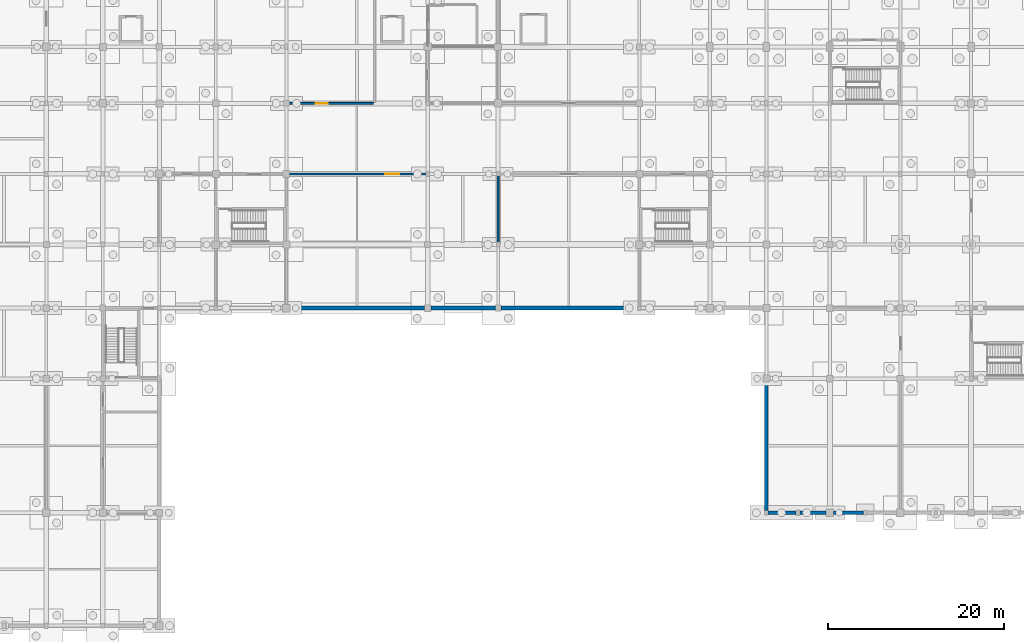
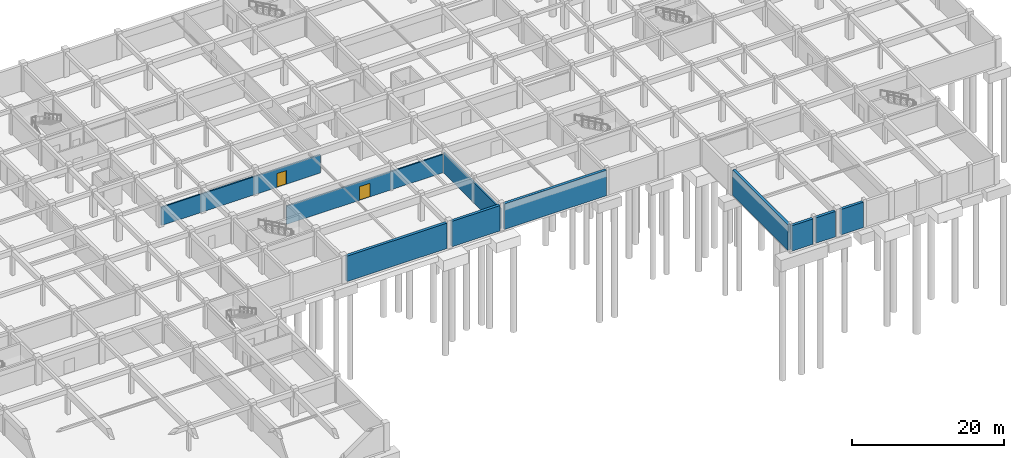
# One storey, part 18 of 28: 10 walls, 2 doors, 2 openings.
"""IFC4 building model written with IfcOpenShell, lengths in metres."""

import ifcopenshell
import ifcopenshell.guid

model = None  # the IFC model being written
_history = None  # IfcOwnerHistory: only IFC2X3 demands one
_inside = {}  # id of a spatial element -> (the spatial element, [elements in it])
_under = {}  # id of a project, library or spatial element -> (it, [spatial elements below it])
_declared = {}  # id of a project -> (the project, [libraries it declares])
_typed = {}  # id of a type object -> (the type object, [elements of that type])
_made_of = {}  # id of a material, layer set ... -> (it, [elements and type objects made of it])


def new_model(schema):
    """Start an empty IFC model of exactly this schema.

    Asked for "IFC4X3", IfcOpenShell would pick the latest addendum, in which some entities
    have other attributes; the version numbers below select the first issue.
    IFC2X3 requires an IfcOwnerHistory on every rooted entity: one is made here for all.
    """
    global model, _history
    if schema == "IFC4X3":
        model = ifcopenshell.file(schema_version=(4, 3, 0, 0))
    else:
        model = ifcopenshell.file(schema=schema)
    _inside.clear()
    _under.clear()
    _declared.clear()
    _typed.clear()
    _made_of.clear()
    _history = None
    if model.schema == "IFC2X3":
        org = make("IfcOrganization", Name="unknown")
        user = make(
            "IfcPersonAndOrganization",
            ThePerson=make("IfcPerson", FamilyName="unknown"),
            TheOrganization=org,
        )
        app = make(
            "IfcApplication",
            ApplicationDeveloper=org,
            Version="unknown",
            ApplicationFullName="unknown",
            ApplicationIdentifier="unknown",
        )
        _history = make(
            "IfcOwnerHistory",
            OwningUser=user,
            OwningApplication=app,
            ChangeAction="ADDED",
            CreationDate=0,
        )
    return model


def make(cls, **values):
    """One entity of the class cls with the attributes given. An attribute that is None is left unset."""
    return model.create_entity(
        cls, **{name: value for name, value in values.items() if value is not None}
    )


def rooted(cls, **values):
    """An entity with a GlobalId (a new one), such as an element, a storey or a relation."""
    return make(cls, GlobalId=ifcopenshell.guid.new(), OwnerHistory=_history, **values)


def si_unit(unit_type, name, prefix=None):
    """IfcSIUnit, for example si_unit("LENGTHUNIT", "METRE", prefix="MILLI")."""
    return make("IfcSIUnit", UnitType=unit_type, Prefix=prefix, Name=name)


def assignment(units):
    """IfcUnitAssignment: the units of a project."""
    return None if units is None else make("IfcUnitAssignment", Units=units)


def point(xyz):
    """IfcCartesianPoint."""
    return None if xyz is None else make("IfcCartesianPoint", Coordinates=xyz)


def direction(xyz):
    """IfcDirection."""
    return None if xyz is None else make("IfcDirection", DirectionRatios=xyz)


def frame(location, z_axis=None, x_axis=None):
    """IfcAxis2Placement3D, a coordinate frame: its origin and axes. An axis left out is left unset."""
    return make(
        "IfcAxis2Placement3D",
        Location=point(location),
        Axis=direction(z_axis),
        RefDirection=direction(x_axis),
    )


def frame_2d(location, x_axis=None):
    """IfcAxis2Placement2D, a coordinate frame in the plane: its origin and x axis."""
    return make(
        "IfcAxis2Placement2D", Location=point(location), RefDirection=direction(x_axis)
    )


def origin():
    """The frame at (0, 0, 0) with its axes left unset."""
    return frame((0.0, 0.0, 0.0))


def place(relative_to, where):
    """IfcLocalPlacement: puts the frame where relative to a parent placement (None: the world)."""
    return make(
        "IfcLocalPlacement", PlacementRelTo=relative_to, RelativePlacement=where
    )


def context(
    kind, dimensions, precision=None, world=None, true_north=None, identifier=None
):
    """IfcGeometricRepresentationContext, for example the 3D "Model" context."""
    return make(
        "IfcGeometricRepresentationContext",
        ContextIdentifier=identifier,
        ContextType=kind,
        CoordinateSpaceDimension=dimensions,
        Precision=precision,
        WorldCoordinateSystem=world,
        TrueNorth=true_north,
    )


def subcontext(parent, identifier, kind, view, scale=None):
    """IfcGeometricRepresentationSubContext, for example "Body" below "Model"."""
    return make(
        "IfcGeometricRepresentationSubContext",
        ContextIdentifier=identifier,
        ContextType=kind,
        ParentContext=parent,
        TargetScale=scale,
        TargetView=view,
    )


def project(units=None, contexts=None):
    """IfcProject with its units and contexts."""
    return rooted(
        "IfcProject",
        Name="project",
        RepresentationContexts=contexts,
        UnitsInContext=assignment(units),
    )


def spatial(cls, under=None, at=None, **own):
    """A site, building, storey or space (cls), placed at a placement, below another one or the project."""
    s = rooted(cls, ObjectPlacement=at, **own)
    if under is not None:
        _under.setdefault(under.id(), (under, []))[1].append(s)
    return s


def profile(cls, at=None, kind="AREA", **sizes):
    """A parametric profile (cls). Its sizes go by their IFC names, for example OverallWidth=200.0."""
    return make(cls, ProfileType=kind, Position=at, **sizes)


def rectangle(**sizes):
    """IfcRectangleProfileDef."""
    return profile("IfcRectangleProfileDef", **sizes)


def extrude(swept, where, along, depth):
    """IfcExtrudedAreaSolid: the profile swept, set in the frame where, extruded along a direction by depth."""
    return make(
        "IfcExtrudedAreaSolid",
        SweptArea=swept,
        Position=where,
        ExtrudedDirection=direction(along),
        Depth=depth,
    )


def shape(context_of_items, identifier, shape_type, items):
    """IfcShapeRepresentation: the items that make up one representation, for example the "Body"."""
    return make(
        "IfcShapeRepresentation",
        ContextOfItems=context_of_items,
        RepresentationIdentifier=identifier,
        RepresentationType=shape_type,
        Items=items,
    )


def material(Name=None, Category=None):
    """IfcMaterial."""
    return make("IfcMaterial", Name=Name, Category=Category)


def layer(
    of_material, thickness, ventilated=None, Name=None, Category=None, Priority=None
):
    """IfcMaterialLayer: one layer of a wall or slab, of a material (None: an air gap)."""
    return make(
        "IfcMaterialLayer",
        Material=of_material,
        LayerThickness=thickness,
        IsVentilated=ventilated,
        Name=Name,
        Category=Category,
        Priority=Priority,
    )


def layer_set(layers, Name=None):
    """IfcMaterialLayerSet."""
    return make("IfcMaterialLayerSet", MaterialLayers=layers, LayerSetName=Name)


def made_of(thing, what):
    """Note that an element or type object is made of a material, layer set ...; save() writes the relation."""
    if what is not None:
        _made_of.setdefault(what.id(), (what, []))[1].append(thing)
    return thing


def type_object(cls, material=None, **own):
    """A type object (cls), such as IfcWallType, which elements share."""
    return made_of(rooted(cls, **own), material)


def element(
    cls,
    number,
    at=None,
    inside=None,
    cuts=None,
    type_object=None,
    material=None,
    context=None,
    identifier="Body",
    shape_type=None,
    held_by="IfcProductDefinitionShape",
    body=None,
    shapes=None,
    **own,
):
    """One element of the class cls, such as IfcWall. Its Tag is "e" and its number.

    at: its placement. inside: the storey or other place that contains it. cuts: it is an
    opening in that element (IfcRelVoidsElement). A single representation is given by context,
    identifier, shape_type and body (its items); several are given by shapes. held_by: the class
    of the entity that holds the representations. save() writes the other relations.
    """
    e = rooted(cls, Tag="e%d" % number, ObjectPlacement=at, **own)
    if body is not None:
        shapes = [shape(context, identifier, shape_type, body)]
    if shapes is not None:
        e.Representation = make(held_by, Representations=shapes)
    if inside is not None:
        _inside.setdefault(inside.id(), (inside, []))[1].append(e)
    if cuts is not None:
        rooted(
            "IfcRelVoidsElement", RelatingBuildingElement=cuts, RelatedOpeningElement=e
        )
    if type_object is not None:
        _typed.setdefault(type_object.id(), (type_object, []))[1].append(e)
    return made_of(e, material)


def fill(opening, filler):
    """IfcRelFillsElement: the door or window that sits in an opening."""
    return rooted(
        "IfcRelFillsElement",
        RelatingOpeningElement=opening,
        RelatedBuildingElement=filler,
    )


def aggregate(whole, parts):
    """IfcRelAggregates: a whole, such as a stair, and the parts it consists of."""
    return rooted("IfcRelAggregates", RelatingObject=whole, RelatedObjects=parts)


def save(model, path):
    """Write the relations noted so far, then the file.

    IfcRelAggregates (storeys below a building ...), IfcRelContainedInSpatialStructure (elements
    in a storey), IfcRelDefinesByType, IfcRelAssociatesMaterial and IfcRelDeclares: one each for
    every whole, place, type object, material and project.
    """
    for whole, parts in _under.values():
        aggregate(whole, parts)
    for where, things in _inside.values():
        rooted(
            "IfcRelContainedInSpatialStructure",
            RelatedElements=things,
            RelatingStructure=where,
        )
    for kind, things in _typed.values():
        rooted("IfcRelDefinesByType", RelatedObjects=things, RelatingType=kind)
    for what, things in _made_of.values():
        rooted("IfcRelAssociatesMaterial", RelatedObjects=things, RelatingMaterial=what)
    for by, libraries in _declared.values():
        rooted("IfcRelDeclares", RelatingContext=by, RelatedDefinitions=libraries)
    model.write(path)


model = new_model("IFC4")

# Units and contexts
model_context = context("Model", 3, precision=1e-05, world=origin(), true_north=direction((0.0, 1.0)))
body_context = subcontext(model_context, "Body", "Model", "MODEL_VIEW")
ifc_project = project(units=[si_unit("LENGTHUNIT", "METRE"), si_unit("AREAUNIT", "SQUARE_METRE"), si_unit("VOLUMEUNIT", "CUBIC_METRE"), si_unit("PLANEANGLEUNIT", "RADIAN"), si_unit("MASSUNIT", "GRAM", prefix="KILO")], contexts=[model_context])

# Site, building, storey
site_placement = place(None, origin())
site = spatial("IfcSite", under=ifc_project, at=site_placement, CompositionType="ELEMENT")
building_placement = place(site_placement, origin())
building = spatial("IfcBuilding", under=site, at=building_placement, Name="Vellmiral Cinema and Media Centre", CompositionType="ELEMENT")
storey_placement = place(building_placement, frame((0.0, 0.0, -4.5)))
storey = spatial("IfcBuildingStorey", under=building, at=storey_placement, Name="B1", CompositionType="ELEMENT", Elevation=-4.5)

# Walls
ifc_material_1 = material(Name="Concrete C30/37", Category="concrete")
ifc_layer_1 = layer(ifc_material_1, 0.419921875, Name="Concrete C30/37")
ifc_layer_set_1 = layer_set([ifc_layer_1], Name="Concrete C30/37")
wall_type_1 = type_object("IfcWallType", Name="WL-B1-RET-420", PredefinedType="SOLIDWALL", material=ifc_layer_set_1)
wall_1_placement = place(storey_placement, frame((62.824951171875, 36.0, 0.0), z_axis=(0.0, 0.0, 1.0), x_axis=(1.0, 0.0, 0.0)))
element("IfcWall", 1, at=wall_1_placement, inside=storey, type_object=wall_type_1, Name="Basement Retaining Wall B1-014", PredefinedType="SOLIDWALL", context=body_context, shape_type="SweptSolid", body=[
    extrude(rectangle(XDim=15.199951171875, YDim=0.419921875, at=frame_2d((7.60009765625, 0.0))), origin(), (0.0, 0.0, 1.0), 4.080078125),
])
wall_2_placement = place(storey_placement, frame((78.77490234375, 36.0, 0.0), z_axis=(0.0, 0.0, 1.0), x_axis=(1.0, 0.0, 0.0)))
element("IfcWall", 2, at=wall_2_placement, inside=storey, type_object=wall_type_1, Name="Basement Retaining Wall B1-015", PredefinedType="SOLIDWALL", context=body_context, shape_type="SweptSolid", body=[
    extrude(rectangle(XDim=7.300048828125, YDim=0.419921875, at=frame_2d((3.64990234375, 0.0))), origin(), (0.0, 0.0, 1.0), 4.080078125),
])
wall_3_placement = place(storey_placement, frame((86.72509765625, 36.0, 0.0), z_axis=(0.0, 0.0, 1.0), x_axis=(1.0, 0.0, 0.0)))
element("IfcWall", 3, at=wall_3_placement, inside=storey, type_object=wall_type_1, Name="Basement Retaining Wall B1-016", PredefinedType="SOLIDWALL", context=body_context, shape_type="SweptSolid", body=[
    extrude(rectangle(XDim=15.474853515625, YDim=0.419921875, at=frame_2d((7.7373046875, 0.0))), origin(), (0.0, 0.0, 1.0), 4.080078125),
])
wall_4_placement = place(storey_placement, frame((116.800048828125, 27.60009765625, 0.0), z_axis=(0.0, 0.0, 1.0), x_axis=(0.0, -1.0, 0.0)))
element("IfcWall", 4, at=wall_4_placement, inside=storey, type_object=wall_type_1, Name="Basement Retaining Wall B1-020", PredefinedType="SOLIDWALL", context=body_context, shape_type="SweptSolid", body=[
    extrude(rectangle(XDim=14.550048828125, YDim=0.419921875, at=frame_2d((7.27490234375, 0.0))), origin(), (0.0, 0.0, 1.0), 4.080078125),
])
wall_5_placement = place(storey_placement, frame((117.0, 12.800048828125, 0.0), z_axis=(0.0, 0.0, 1.0), x_axis=(1.0, 0.0, 0.0)))
element("IfcWall", 5, at=wall_5_placement, inside=storey, type_object=wall_type_1, Name="Basement Retaining Wall B1-021", PredefinedType="SOLIDWALL", context=body_context, shape_type="SweptSolid", body=[
    extrude(rectangle(XDim=3.175048828125, YDim=0.419921875, at=frame_2d((1.58740234375, 0.0))), origin(), (0.0, 0.0, 1.0), 4.080078125),
])
wall_6_placement = place(storey_placement, frame((120.625, 12.800048828125, 0.0), z_axis=(0.0, 0.0, 1.0), x_axis=(1.0, 0.0, 0.0)))
element("IfcWall", 6, at=wall_6_placement, inside=storey, type_object=wall_type_1, Name="Basement Retaining Wall B1-022", PredefinedType="SOLIDWALL", context=body_context, shape_type="SweptSolid", body=[
    extrude(rectangle(XDim=2.949951171875, YDim=0.419921875, at=frame_2d((1.47509765625, 0.0))), origin(), (0.0, 0.0, 1.0), 4.080078125),
])
wall_7_placement = place(storey_placement, frame((124.425048828125, 12.800048828125, 0.0), z_axis=(0.0, 0.0, 1.0), x_axis=(1.0, 0.0, 0.0)))
element("IfcWall", 7, at=wall_7_placement, inside=storey, type_object=wall_type_1, Name="Basement Retaining Wall B1-023", PredefinedType="SOLIDWALL", context=body_context, shape_type="SweptSolid", body=[
    extrude(rectangle(XDim=3.375, YDim=0.419921875, at=frame_2d((1.6875, 0.0))), origin(), (0.0, 0.0, 1.0), 4.080078125),
])

# Wall, opening, door
ifc_material_2 = material(Name="Concrete C40/50", Category="concrete")
ifc_layer_2 = layer(ifc_material_2, 0.2099609375, Name="Concrete C40/50")
ifc_layer_set_2 = layer_set([ifc_layer_2], Name="Concrete C40/50")
wall_type_2 = type_object("IfcWallType", Name="WL-COMP-210", PredefinedType="SOLIDWALL", material=ifc_layer_set_2)
wall_8_placement = place(storey_placement, frame((62.5400390625, 51.199951171875, 0.0), z_axis=(0.0, 0.0, 1.0), x_axis=(1.0, 0.0, 0.0)))
wall_8 = element("IfcWall", 8, at=wall_8_placement, inside=storey, type_object=wall_type_2, Name="Covered Bicycle Parking Hall Wall N", PredefinedType="SOLIDWALL", context=body_context, shape_type="SweptSolid", body=[
    extrude(rectangle(XDim=23.719970703125, YDim=0.2099609375, at=frame_2d((11.85986328125, 0.0))), origin(), (0.0, 0.0, 1.0), 2.925048828125),
])
opening_1_placement = place(wall_8_placement, frame((11.06005859375, 0.0, 0.0)))
opening_1 = element("IfcOpeningElement", 9, at=opening_1_placement, cuts=wall_8, Name="Opening D-FD60A", PredefinedType="OPENING", context=body_context, shape_type="SweptSolid", body=[
    extrude(rectangle(XDim=1.60009765625, YDim=2.199951171875, at=frame_2d((0.800048828125, 1.10009765625))), frame((0.0, 0.116943359375, 0.0), z_axis=(0.0, -1.0, 0.0), x_axis=(1.0, 0.0, 0.0)), (0.0, 0.0, 1.0), 0.23388671875),
])
ifc_material_3 = material(Name="Steel Fire Door", Category="steel")
door_type_1 = type_object("IfcDoorType", Name="DR-FD60-1600x2200", OperationType="DOUBLE_DOOR_SINGLE_SWING", PredefinedType="DOOR", material=ifc_material_3)
door_1_placement = place(opening_1_placement, origin())
door_1 = element("IfcDoor", 10, at=door_1_placement, inside=storey, type_object=door_type_1, Name="Covered Bicycle Parking Hall Door", OperationType="DOUBLE_DOOR_SINGLE_SWING", OverallHeight=2.199951171875, OverallWidth=1.60009765625, PredefinedType="DOOR", context=body_context, shape_type="SweptSolid", body=[
    extrude(rectangle(XDim=1.60009765625, YDim=2.199951171875, at=frame_2d((0.800048828125, 1.10009765625))), frame((0.0, 0.02490234375, 0.0), z_axis=(0.0, -1.0, 0.0), x_axis=(1.0, 0.0, 0.0)), (0.0, 0.0, 1.0), 0.050048828125),
])
fill(opening_1, door_1)

# Wall
wall_9_placement = place(storey_placement, frame((86.39990234375, 36.22509765625, 0.0), z_axis=(0.0, 0.0, 1.0), x_axis=(0.0, 1.0, 0.0)))
element("IfcWall", 11, at=wall_9_placement, inside=storey, type_object=wall_type_2, Name="Covered Bicycle Parking Hall Wall E", PredefinedType="SOLIDWALL", context=body_context, shape_type="SweptSolid", body=[
    extrude(rectangle(XDim=14.8349609375, YDim=0.2099609375, at=frame_2d((7.41748046875, 0.0))), origin(), (0.0, 0.0, 1.0), 3.27490234375),
])

# Wall, opening, door
wall_10_placement = place(storey_placement, frame((48.139892578125, 59.199951171875, 0.0), z_axis=(0.0, 0.0, 1.0), x_axis=(1.0, 0.0, 0.0)))
wall_10 = element("IfcWall", 12, at=wall_10_placement, inside=storey, type_object=wall_type_2, Name="Climate-Controlled Film Archive Vault Wall S", PredefinedType="SOLIDWALL", context=body_context, shape_type="SweptSolid", body=[
    extrude(rectangle(XDim=24.1201171875, YDim=0.2099609375, at=frame_2d((12.06005859375, 0.0))), origin(), (0.0, 0.0, 1.0), 2.925048828125),
])
opening_2_placement = place(wall_10_placement, frame((17.56005859375, 0.0, 0.0)))
opening_2 = element("IfcOpeningElement", 13, at=opening_2_placement, cuts=wall_10, Name="Opening D-FD60B", PredefinedType="OPENING", context=body_context, shape_type="SweptSolid", body=[
    extrude(rectangle(XDim=1.39990234375, YDim=2.199951171875, at=frame_2d((0.699951171875, 1.10009765625))), frame((0.0, 0.116943359375, 0.0), z_axis=(0.0, -1.0, 0.0), x_axis=(1.0, 0.0, 0.0)), (0.0, 0.0, 1.0), 0.23388671875),
])
ifc_material_4 = material(Name="Steel Fire Door", Category="steel")
door_type_2 = type_object("IfcDoorType", Name="DR-FD60-1400x2200", OperationType="NOTDEFINED", PredefinedType="DOOR", material=ifc_material_4)
door_2_placement = place(opening_2_placement, origin())
door_2 = element("IfcDoor", 14, at=door_2_placement, inside=storey, type_object=door_type_2, Name="Climate-Controlled Film Archive Vault Door", OperationType="SINGLE_SWING_RIGHT", OverallHeight=2.199951171875, OverallWidth=1.39990234375, PredefinedType="DOOR", context=body_context, shape_type="SweptSolid", body=[
    extrude(rectangle(XDim=1.39990234375, YDim=2.199951171875, at=frame_2d((0.699951171875, 1.10009765625))), frame((0.0, 0.02490234375, 0.0), z_axis=(0.0, -1.0, 0.0), x_axis=(1.0, 0.0, 0.0)), (0.0, 0.0, 1.0), 0.050048828125),
])
fill(opening_2, door_2)

save(model, "model.ifc")
